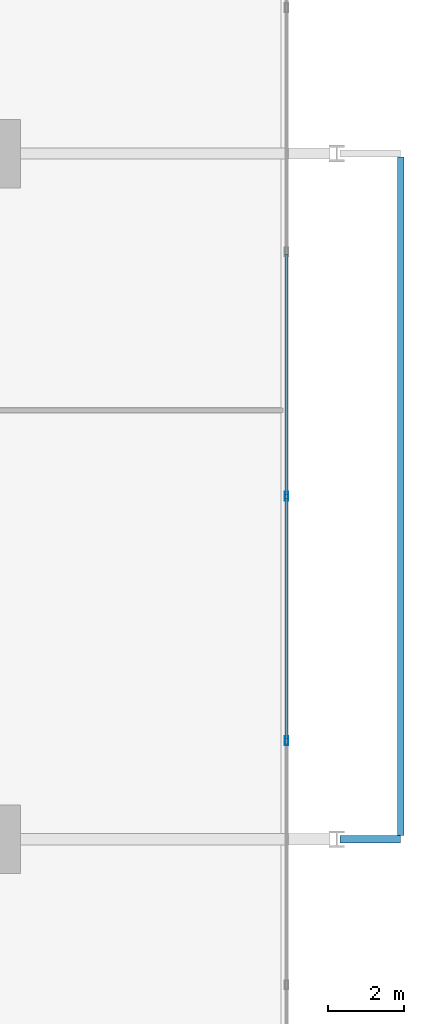
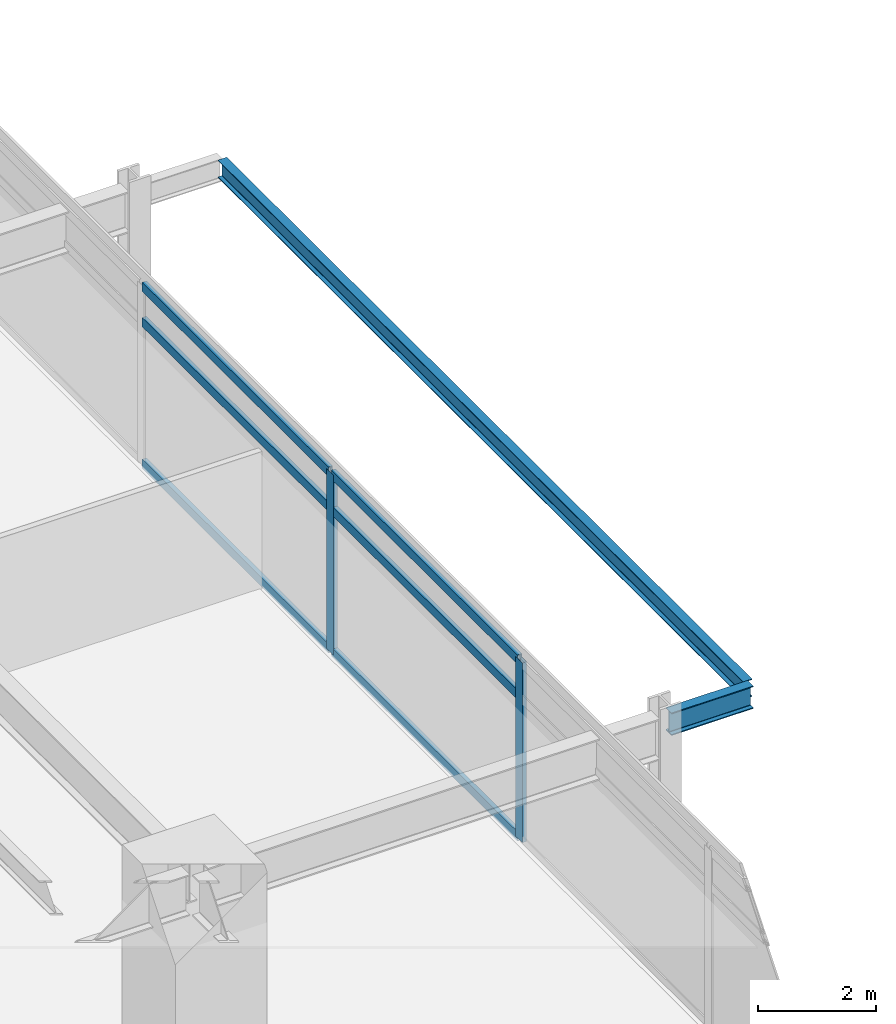
# One storey, part 8 of 19: 8 members, 2 beams, 1 element without a shape of its own.
"""IFC4 building model written with IfcOpenShell, lengths in metres."""

from ifc_helpers import new_model, si_unit, direction, frame, origin, origin_2d, place, context, subcontext, project, spatial, hollow_rectangle, i_section, extrude, material, material_profile, profile_set, type_object, element, aggregate, save


model = new_model("IFC4")

# Units and contexts
model_context = context("Model", 3, precision=1e-05, world=origin(), true_north=direction((0.0, 1.0)))
body_context = subcontext(model_context, "Body", "Model", "MODEL_VIEW")
ifc_project = project(units=[si_unit("LENGTHUNIT", "METRE"), si_unit("AREAUNIT", "SQUARE_METRE"), si_unit("VOLUMEUNIT", "CUBIC_METRE"), si_unit("PLANEANGLEUNIT", "RADIAN"), si_unit("MASSUNIT", "GRAM", prefix="KILO")], contexts=[model_context])

# Site, building, storey
site_placement = place(None, origin())
site = spatial("IfcSite", under=ifc_project, at=site_placement, CompositionType="ELEMENT")
building_placement = place(site_placement, origin())
building = spatial("IfcBuilding", under=site, at=building_placement, Name="Kovane Verandah Tower", CompositionType="ELEMENT")
storey_placement = place(building_placement, frame((0.0, 0.0, 83.60009765625)))
storey = spatial("IfcBuildingStorey", under=building, at=storey_placement, Name="L19", CompositionType="ELEMENT", Elevation=83.60009765625)

# Curtain wall, members
ifc_material_1 = material(Name="Champagne Anodised Aluminium Frame with Low-E Clear Laminated Glass", Category="aluminium")
curtain_wall_type = type_object("IfcCurtainWallType", Name="CW-SYS-02-LOW", PredefinedType="NOTDEFINED", material=ifc_material_1)
curtain_wall_placement = place(storey_placement, origin())
curtain_wall = element("IfcCurtainWall", 1, at=curtain_wall_placement, inside=storey, type_object=curtain_wall_type, Name="L19 E Unitised Curtain Wall", PredefinedType="NOTDEFINED")
ifc_material_2 = material(Name="Champagne Anodised Aluminium 6063-T6", Category="aluminium")
ifc_material_profile_1 = material_profile(ifc_material_2, hollow_rectangle(XDim=0.0849609375, YDim=0.22998046875, WallThickness=0.00390625, at=origin_2d()), Name="AL85x230x4")
ifc_profile_set_1 = profile_set([ifc_material_profile_1], Name="Champagne Anodised Aluminium 6063-T6")
member_type_1 = type_object("IfcMemberType", Name="CW-MUL-85x230", PredefinedType="MULLION", material=ifc_profile_set_1)
member_1_placement = place(storey_placement, frame((66.28466796875, 21.0869140625, 0.02001953125), z_axis=(0.0, 0.0, 1.0), x_axis=(1.0, 0.0, 0.0)))
member_1 = element("IfcMember", 2, at=member_1_placement, type_object=member_type_1, Name="L19 E Unitised Curtain Wall Mullion 3", PredefinedType="MULLION", context=body_context, shape_type="SweptSolid", body=[
    extrude(hollow_rectangle(XDim=0.0849609375, YDim=0.22998046875, WallThickness=0.00390625, at=origin_2d()), origin(), (0.0, 0.0, 1.0), 3.719970703125),
])
member_2_placement = place(storey_placement, frame((66.28466796875, 27.5, 0.02001953125), z_axis=(0.0, 0.0, 1.0), x_axis=(1.0, 0.0, 0.0)))
member_2 = element("IfcMember", 3, at=member_2_placement, type_object=member_type_1, Name="L19 E Unitised Curtain Wall Mullion 4", PredefinedType="MULLION", context=body_context, shape_type="SweptSolid", body=[
    extrude(hollow_rectangle(XDim=0.0849609375, YDim=0.22998046875, WallThickness=0.00390625, at=origin_2d()), origin(), (0.0, 0.0, 1.0), 3.719970703125),
])
ifc_material_profile_2 = material_profile(ifc_material_2, hollow_rectangle(XDim=0.0849609375, YDim=0.18994140625, WallThickness=0.00390625, at=origin_2d()), Name="AL85x190x4")
ifc_profile_set_2 = profile_set([ifc_material_profile_2], Name="Champagne Anodised Aluminium 6063-T6")
member_type_2 = type_object("IfcMemberType", Name="CW-TRN-85x190", PredefinedType="USERDEFINED", material=ifc_profile_set_2)
member_3_placement = place(storey_placement, frame((66.28466796875, 21.136962890625, 0.0498046875), z_axis=(0.0, 1.0, 0.0), x_axis=(-1.0, 0.0, 0.0)))
member_3 = element("IfcMember", 4, at=member_3_placement, type_object=member_type_2, Name="L19 E Unitised Curtain Wall Transom TB Bay 3", ObjectType="TRANSOM", PredefinedType="USERDEFINED", context=body_context, shape_type="SweptSolid", body=[
    extrude(hollow_rectangle(XDim=0.0849609375, YDim=0.18994140625, WallThickness=0.00390625, at=origin_2d()), origin(), (0.0, 0.0, 1.0), 6.31298828125),
])
member_4_placement = place(storey_placement, frame((66.28466796875, 21.136962890625, 2.97998046875), z_axis=(0.0, 1.0, 0.0), x_axis=(-1.0, 0.0, 0.0)))
member_4 = element("IfcMember", 5, at=member_4_placement, type_object=member_type_2, Name="L19 E Unitised Curtain Wall Transom TM Bay 3", ObjectType="TRANSOM", PredefinedType="USERDEFINED", context=body_context, shape_type="SweptSolid", body=[
    extrude(hollow_rectangle(XDim=0.0849609375, YDim=0.18994140625, WallThickness=0.00390625, at=origin_2d()), origin(), (0.0, 0.0, 1.0), 6.31298828125),
])
member_5_placement = place(storey_placement, frame((66.28466796875, 21.136962890625, 3.7099609375), z_axis=(0.0, 1.0, 0.0), x_axis=(-1.0, 0.0, 0.0)))
member_5 = element("IfcMember", 6, at=member_5_placement, type_object=member_type_2, Name="L19 E Unitised Curtain Wall Transom TT Bay 3", ObjectType="TRANSOM", PredefinedType="USERDEFINED", context=body_context, shape_type="SweptSolid", body=[
    extrude(hollow_rectangle(XDim=0.0849609375, YDim=0.18994140625, WallThickness=0.00390625, at=origin_2d()), origin(), (0.0, 0.0, 1.0), 6.31298828125),
])
member_6_placement = place(storey_placement, frame((66.28466796875, 27.550048828125, 0.0498046875), z_axis=(0.0, 1.0, 0.0), x_axis=(-1.0, 0.0, 0.0)))
member_6 = element("IfcMember", 7, at=member_6_placement, type_object=member_type_2, Name="L19 E Unitised Curtain Wall Transom TB Bay 4", ObjectType="TRANSOM", PredefinedType="USERDEFINED", context=body_context, shape_type="SweptSolid", body=[
    extrude(hollow_rectangle(XDim=0.0849609375, YDim=0.18994140625, WallThickness=0.00390625, at=origin_2d()), origin(), (0.0, 0.0, 1.0), 6.31298828125),
])
member_7_placement = place(storey_placement, frame((66.28466796875, 27.550048828125, 2.97998046875), z_axis=(0.0, 1.0, 0.0), x_axis=(-1.0, 0.0, 0.0)))
member_7 = element("IfcMember", 8, at=member_7_placement, type_object=member_type_2, Name="L19 E Unitised Curtain Wall Transom TM Bay 4", ObjectType="TRANSOM", PredefinedType="USERDEFINED", context=body_context, shape_type="SweptSolid", body=[
    extrude(hollow_rectangle(XDim=0.0849609375, YDim=0.18994140625, WallThickness=0.00390625, at=origin_2d()), origin(), (0.0, 0.0, 1.0), 6.31298828125),
])
member_8_placement = place(storey_placement, frame((66.28466796875, 27.550048828125, 3.7099609375), z_axis=(0.0, 1.0, 0.0), x_axis=(-1.0, 0.0, 0.0)))
member_8 = element("IfcMember", 9, at=member_8_placement, type_object=member_type_2, Name="L19 E Unitised Curtain Wall Transom TT Bay 4", ObjectType="TRANSOM", PredefinedType="USERDEFINED", context=body_context, shape_type="SweptSolid", body=[
    extrude(hollow_rectangle(XDim=0.0849609375, YDim=0.18994140625, WallThickness=0.00390625, at=origin_2d()), origin(), (0.0, 0.0, 1.0), 6.31298828125),
])
aggregate(curtain_wall, [member_1, member_2, member_3, member_4, member_5, member_6, member_7, member_8])

# Beams
ifc_material_3 = material(Name="Steel S355", Category="steel")
ifc_material_profile_3 = material_profile(ifc_material_3, i_section(OverallWidth=0.19287109375, OverallDepth=0.46728515625, WebThickness=0.011474609375, FlangeThickness=0.01953125, FilletRadius=0.01025390625, at=origin_2d()), Name="UB457x191x98")
ifc_profile_set_3 = profile_set([ifc_material_profile_3], Name="Steel S355")
beam_type_1 = type_object("IfcBeamType", Name="JST-UB457x98", PredefinedType="JOIST", material=ifc_profile_set_3)
beam_1_placement = place(storey_placement, frame((67.679931640625, 18.5, 3.5263671875), z_axis=(1.0, 0.0, 0.0), x_axis=(0.0, 1.0, 0.0)))
element("IfcBeam", 10, at=beam_1_placement, inside=storey, type_object=beam_type_1, Name="L19 East Planter Girder 1", PredefinedType="JOIST", context=body_context, shape_type="SweptSolid", body=[
    extrude(i_section(OverallWidth=0.19287109375, OverallDepth=0.46728515625, WebThickness=0.011474609375, FlangeThickness=0.01953125, FilletRadius=0.01025390625, at=origin_2d()), origin(), (0.0, 0.0, 1.0), 1.599853515625),
])
ifc_material_profile_4 = material_profile(ifc_material_3, i_section(OverallWidth=0.173095703125, OverallDepth=0.36328125, WebThickness=0.009033203125, FlangeThickness=0.015625, FilletRadius=0.01025390625, at=origin_2d()), Name="UB356x171x67")
ifc_profile_set_4 = profile_set([ifc_material_profile_4], Name="Steel S355")
beam_type_2 = type_object("IfcBeamType", Name="SPD-UB356x67", PredefinedType="USERDEFINED", material=ifc_profile_set_4)
beam_2_placement = place(storey_placement, frame((69.27978515625, 18.594482421875, 3.578125), z_axis=(0.0, 1.0, 0.0), x_axis=(-1.0, 0.0, 0.0)))
element("IfcBeam", 11, at=beam_2_placement, inside=storey, type_object=beam_type_2, Name="L19 East Planter Edge Spandrel", ObjectType="SPANDREL", PredefinedType="USERDEFINED", context=body_context, shape_type="SweptSolid", body=[
    extrude(i_section(OverallWidth=0.173095703125, OverallDepth=0.36328125, WebThickness=0.009033203125, FlangeThickness=0.015625, FilletRadius=0.01025390625, at=origin_2d()), origin(), (0.0, 0.0, 1.0), 17.81103515625),
])

save(model, "model.ifc")
